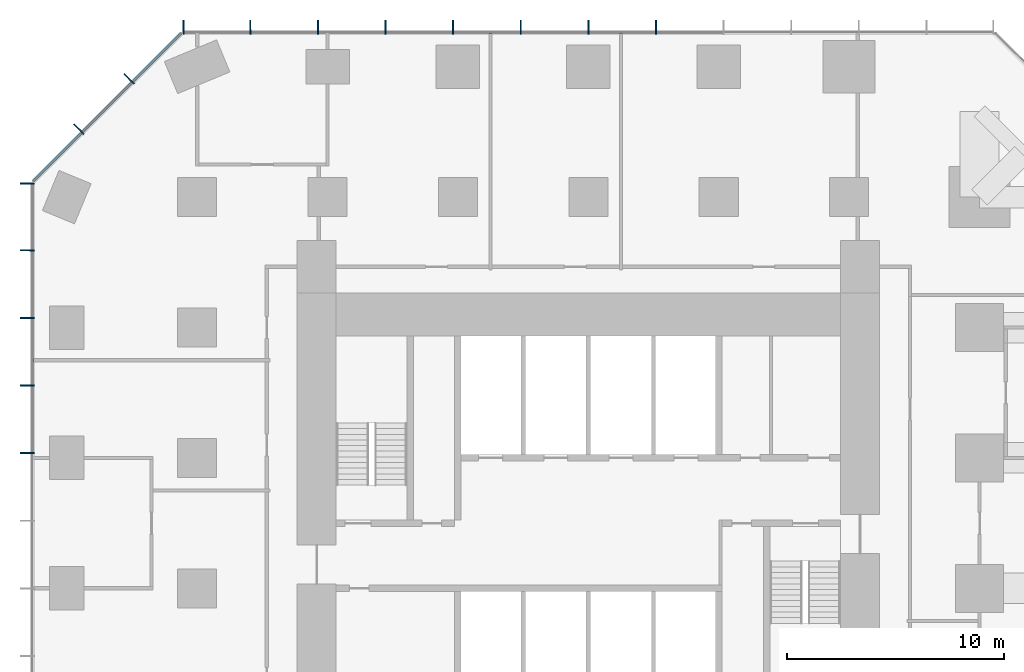
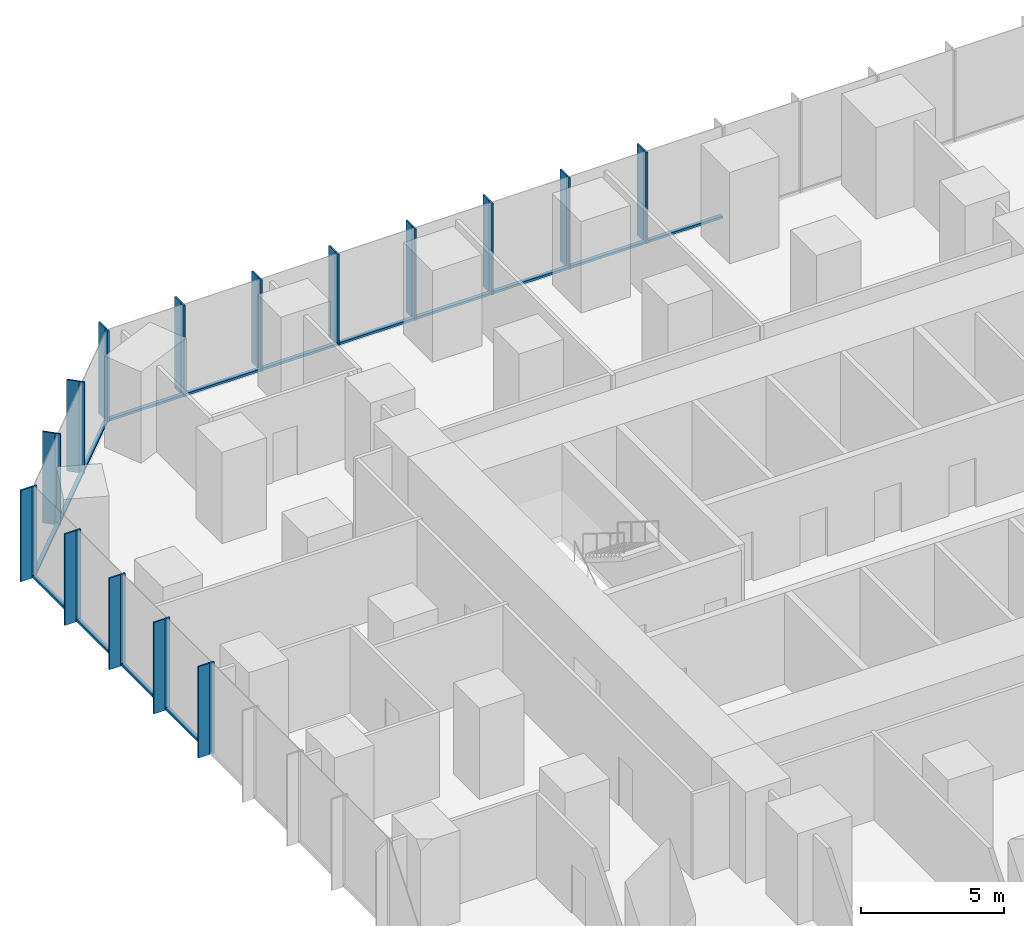
# One storey, part 5 of 12: 45 members, 3 elements without a shape of their own.
"""IFC4 building model written with IfcOpenShell, lengths in metres."""

from ifc_helpers import new_model, si_unit, direction, frame, origin, origin_2d, place, context, subcontext, project, spatial, rectangle, extrude, material, layer, layer_set, material_profile, profile_set, type_object, element, aggregate, save


model = new_model("IFC4")

# Units and contexts
model_context = context("Model", 3, precision=1e-05, world=origin(), true_north=direction((0.0, 1.0)))
body_context = subcontext(model_context, "Body", "Model", "MODEL_VIEW")
ifc_project = project(units=[si_unit("LENGTHUNIT", "METRE"), si_unit("AREAUNIT", "SQUARE_METRE"), si_unit("VOLUMEUNIT", "CUBIC_METRE"), si_unit("PLANEANGLEUNIT", "RADIAN"), si_unit("MASSUNIT", "GRAM", prefix="KILO")], contexts=[model_context])

# Site, building, storey
site_placement = place(None, origin())
site = spatial("IfcSite", under=ifc_project, at=site_placement, CompositionType="ELEMENT")
building_placement = place(site_placement, origin())
building = spatial("IfcBuilding", under=site, at=building_placement, Name="Highveld Stack Headquarters", CompositionType="ELEMENT")
storey_placement = place(building_placement, frame((0.0, 0.0, 49.39990234375)))
storey = spatial("IfcBuildingStorey", under=building, at=storey_placement, Name="L11", CompositionType="ELEMENT", Elevation=49.39990234375)

# Curtain wall, members
ifc_material_1 = material(Name="Aluminium bronze anodised", Category="aluminium")
ifc_layer_1 = layer(ifc_material_1, 0.199951171875)
ifc_layer_set_1 = layer_set([ifc_layer_1], Name="Aluminium bronze anodised")
curtain_wall_type_1 = type_object("IfcCurtainWallType", Name="CW1 TOWER UNITISED CURTAIN WALL", PredefinedType="NOTDEFINED", material=ifc_layer_set_1)
curtain_wall_1_placement = place(storey_placement, origin())
curtain_wall_1 = element("IfcCurtainWall", 1, at=curtain_wall_1_placement, inside=storey, type_object=curtain_wall_type_1, Name="Curtain wall CW1 L11 N", PredefinedType="NOTDEFINED")
ifc_material_2 = material(Name="Aluminium bronze anodised", Category="aluminium")
ifc_material_profile_1 = material_profile(ifc_material_2, rectangle(XDim=0.449951171875, YDim=0.06005859375, at=origin_2d()), Name="FIN 450x60")
ifc_profile_set_1 = profile_set([ifc_material_profile_1], Name="Aluminium bronze anodised")
member_type_1 = type_object("IfcMemberType", Name="CW1 BRONZE FIN 450x60", PredefinedType="USERDEFINED", material=ifc_profile_set_1)
member_1_placement = place(storey_placement, frame((9.110595703125, 25.925048828125, 0.0), z_axis=(0.0, 0.0, 1.0), x_axis=(0.0, -1.0, 0.0)))
member_1 = element("IfcMember", 2, at=member_1_placement, type_object=member_type_1, Name="CW1 fin L11 6", ObjectType="FIN", PredefinedType="USERDEFINED", context=body_context, shape_type="SweptSolid", body=[
    extrude(rectangle(XDim=0.449951171875, YDim=0.06005859375, at=origin_2d()), origin(), (0.0, 0.0, 1.0), 3.900146484375),
])
member_2_placement = place(storey_placement, frame((6.0, 25.925048828125, 0.0), z_axis=(0.0, 0.0, 1.0), x_axis=(0.0, -1.0, 0.0)))
member_2 = element("IfcMember", 3, at=member_2_placement, type_object=member_type_1, Name="CW1 fin L11 7", ObjectType="FIN", PredefinedType="USERDEFINED", context=body_context, shape_type="SweptSolid", body=[
    extrude(rectangle(XDim=0.449951171875, YDim=0.06005859375, at=origin_2d()), origin(), (0.0, 0.0, 1.0), 3.900146484375),
])
member_3_placement = place(storey_placement, frame((2.889404296875, 25.925048828125, 0.0), z_axis=(0.0, 0.0, 1.0), x_axis=(0.0, -1.0, 0.0)))
member_3 = element("IfcMember", 4, at=member_3_placement, type_object=member_type_1, Name="CW1 fin L11 8", ObjectType="FIN", PredefinedType="USERDEFINED", context=body_context, shape_type="SweptSolid", body=[
    extrude(rectangle(XDim=0.449951171875, YDim=0.06005859375, at=origin_2d()), origin(), (0.0, 0.0, 1.0), 3.900146484375),
])
member_4_placement = place(storey_placement, frame((-0.220947265625, 25.925048828125, 0.0), z_axis=(0.0, 0.0, 1.0), x_axis=(0.0, -1.0, 0.0)))
member_4 = element("IfcMember", 5, at=member_4_placement, type_object=member_type_1, Name="CW1 fin L11 9", ObjectType="FIN", PredefinedType="USERDEFINED", context=body_context, shape_type="SweptSolid", body=[
    extrude(rectangle(XDim=0.449951171875, YDim=0.06005859375, at=origin_2d()), origin(), (0.0, 0.0, 1.0), 3.900146484375),
])
member_5_placement = place(storey_placement, frame((-3.331298828125, 25.925048828125, 0.0), z_axis=(0.0, 0.0, 1.0), x_axis=(0.0, -1.0, 0.0)))
member_5 = element("IfcMember", 6, at=member_5_placement, type_object=member_type_1, Name="CW1 fin L11 10", ObjectType="FIN", PredefinedType="USERDEFINED", context=body_context, shape_type="SweptSolid", body=[
    extrude(rectangle(XDim=0.449951171875, YDim=0.06005859375, at=origin_2d()), origin(), (0.0, 0.0, 1.0), 3.900146484375),
])
member_6_placement = place(storey_placement, frame((-6.44189453125, 25.925048828125, 0.0), z_axis=(0.0, 0.0, 1.0), x_axis=(0.0, -1.0, 0.0)))
member_6 = element("IfcMember", 7, at=member_6_placement, type_object=member_type_1, Name="CW1 fin L11 11", ObjectType="FIN", PredefinedType="USERDEFINED", context=body_context, shape_type="SweptSolid", body=[
    extrude(rectangle(XDim=0.449951171875, YDim=0.06005859375, at=origin_2d()), origin(), (0.0, 0.0, 1.0), 3.900146484375),
])
member_7_placement = place(storey_placement, frame((-9.55224609375, 25.925048828125, 0.0), z_axis=(0.0, 0.0, 1.0), x_axis=(0.0, -1.0, 0.0)))
member_7 = element("IfcMember", 8, at=member_7_placement, type_object=member_type_1, Name="CW1 fin L11 12", ObjectType="FIN", PredefinedType="USERDEFINED", context=body_context, shape_type="SweptSolid", body=[
    extrude(rectangle(XDim=0.449951171875, YDim=0.06005859375, at=origin_2d()), origin(), (0.0, 0.0, 1.0), 3.900146484375),
])
member_8_placement = place(storey_placement, frame((-12.630126953125, 25.925048828125, 0.0), z_axis=(0.0, 0.0, 1.0), x_axis=(0.0, -1.0, 0.0)))
member_8 = element("IfcMember", 9, at=member_8_placement, type_object=member_type_1, Name="CW1 fin L11 13", ObjectType="FIN", PredefinedType="USERDEFINED", context=body_context, shape_type="SweptSolid", body=[
    extrude(rectangle(XDim=0.449951171875, YDim=0.06005859375, at=origin_2d()), origin(), (0.0, 0.0, 1.0), 3.900146484375),
])

curtain_wall_2_placement = place(storey_placement, origin())
curtain_wall_2 = element("IfcCurtainWall", 10, at=curtain_wall_2_placement, inside=storey, type_object=curtain_wall_type_1, Name="Curtain wall CW1 L11 W", PredefinedType="NOTDEFINED")
member_9_placement = place(storey_placement, frame((-19.925048828125, 18.630126953125, 0.0), z_axis=(0.0, 0.0, 1.0), x_axis=(1.0, 0.0, 0.0)))
member_9 = element("IfcMember", 11, at=member_9_placement, type_object=member_type_1, Name="CW1 fin L11 1", ObjectType="FIN", PredefinedType="USERDEFINED", context=body_context, shape_type="SweptSolid", body=[
    extrude(rectangle(XDim=0.449951171875, YDim=0.06005859375, at=origin_2d()), origin(), (0.0, 0.0, 1.0), 3.900146484375),
])
member_10_placement = place(storey_placement, frame((-19.925048828125, 15.55224609375, 0.0), z_axis=(0.0, 0.0, 1.0), x_axis=(1.0, 0.0, 0.0)))
member_10 = element("IfcMember", 12, at=member_10_placement, type_object=member_type_1, Name="CW1 fin L11 2", ObjectType="FIN", PredefinedType="USERDEFINED", context=body_context, shape_type="SweptSolid", body=[
    extrude(rectangle(XDim=0.449951171875, YDim=0.06005859375, at=origin_2d()), origin(), (0.0, 0.0, 1.0), 3.900146484375),
])
member_11_placement = place(storey_placement, frame((-19.925048828125, 12.44189453125, 0.0), z_axis=(0.0, 0.0, 1.0), x_axis=(1.0, 0.0, 0.0)))
member_11 = element("IfcMember", 13, at=member_11_placement, type_object=member_type_1, Name="CW1 fin L11 3", ObjectType="FIN", PredefinedType="USERDEFINED", context=body_context, shape_type="SweptSolid", body=[
    extrude(rectangle(XDim=0.449951171875, YDim=0.06005859375, at=origin_2d()), origin(), (0.0, 0.0, 1.0), 3.900146484375),
])
member_12_placement = place(storey_placement, frame((-19.925048828125, 9.331298828125, 0.0), z_axis=(0.0, 0.0, 1.0), x_axis=(1.0, 0.0, 0.0)))
member_12 = element("IfcMember", 14, at=member_12_placement, type_object=member_type_1, Name="CW1 fin L11 4", ObjectType="FIN", PredefinedType="USERDEFINED", context=body_context, shape_type="SweptSolid", body=[
    extrude(rectangle(XDim=0.449951171875, YDim=0.06005859375, at=origin_2d()), origin(), (0.0, 0.0, 1.0), 3.900146484375),
])
member_13_placement = place(storey_placement, frame((-19.925048828125, 6.220947265625, 0.0), z_axis=(0.0, 0.0, 1.0), x_axis=(1.0, 0.0, 0.0)))
member_13 = element("IfcMember", 15, at=member_13_placement, type_object=member_type_1, Name="CW1 fin L11 5", ObjectType="FIN", PredefinedType="USERDEFINED", context=body_context, shape_type="SweptSolid", body=[
    extrude(rectangle(XDim=0.449951171875, YDim=0.06005859375, at=origin_2d()), origin(), (0.0, 0.0, 1.0), 3.900146484375),
])

# Member
ifc_material_3 = material(Name="Aluminium bronze anodised", Category="aluminium")
ifc_material_profile_2 = material_profile(ifc_material_3, rectangle(XDim=0.199951171875, YDim=0.06494140625, at=origin_2d()), Name="CW1 MULLION 65x200")
ifc_profile_set_2 = profile_set([ifc_material_profile_2], Name="Aluminium bronze anodised")
member_type_2 = type_object("IfcMemberType", Name="CW1 MULLION 65x200", PredefinedType="MULLION", material=ifc_profile_set_2)
member_14_placement = place(storey_placement, frame((9.110595703125, 25.60009765625, 0.0), z_axis=(0.0, 0.0, 1.0), x_axis=(0.0, -1.0, 0.0)))
member_14 = element("IfcMember", 16, at=member_14_placement, type_object=member_type_2, Name="CW1 mullion L11 6", PredefinedType="MULLION", context=body_context, shape_type="SweptSolid", body=[
    extrude(rectangle(XDim=0.199951171875, YDim=0.06494140625, at=origin_2d()), origin(), (0.0, 0.0, 1.0), 3.900146484375),
])

member_15_placement = place(storey_placement, frame((6.0, 25.60009765625, 0.0), z_axis=(0.0, 0.0, 1.0), x_axis=(0.0, -1.0, 0.0)))
member_15 = element("IfcMember", 17, at=member_15_placement, type_object=member_type_2, Name="CW1 mullion L11 7", PredefinedType="MULLION", context=body_context, shape_type="SweptSolid", body=[
    extrude(rectangle(XDim=0.199951171875, YDim=0.06494140625, at=origin_2d()), origin(), (0.0, 0.0, 1.0), 3.900146484375),
])

member_16_placement = place(storey_placement, frame((2.889404296875, 25.60009765625, 0.0), z_axis=(0.0, 0.0, 1.0), x_axis=(0.0, -1.0, 0.0)))
member_16 = element("IfcMember", 18, at=member_16_placement, type_object=member_type_2, Name="CW1 mullion L11 8", PredefinedType="MULLION", context=body_context, shape_type="SweptSolid", body=[
    extrude(rectangle(XDim=0.199951171875, YDim=0.06494140625, at=origin_2d()), origin(), (0.0, 0.0, 1.0), 3.900146484375),
])

member_17_placement = place(storey_placement, frame((-0.220947265625, 25.60009765625, 0.0), z_axis=(0.0, 0.0, 1.0), x_axis=(0.0, -1.0, 0.0)))
member_17 = element("IfcMember", 19, at=member_17_placement, type_object=member_type_2, Name="CW1 mullion L11 9", PredefinedType="MULLION", context=body_context, shape_type="SweptSolid", body=[
    extrude(rectangle(XDim=0.199951171875, YDim=0.06494140625, at=origin_2d()), origin(), (0.0, 0.0, 1.0), 3.900146484375),
])

member_18_placement = place(storey_placement, frame((-3.331298828125, 25.60009765625, 0.0), z_axis=(0.0, 0.0, 1.0), x_axis=(0.0, -1.0, 0.0)))
member_18 = element("IfcMember", 20, at=member_18_placement, type_object=member_type_2, Name="CW1 mullion L11 10", PredefinedType="MULLION", context=body_context, shape_type="SweptSolid", body=[
    extrude(rectangle(XDim=0.199951171875, YDim=0.06494140625, at=origin_2d()), origin(), (0.0, 0.0, 1.0), 3.900146484375),
])

member_19_placement = place(storey_placement, frame((-6.44189453125, 25.60009765625, 0.0), z_axis=(0.0, 0.0, 1.0), x_axis=(0.0, -1.0, 0.0)))
member_19 = element("IfcMember", 21, at=member_19_placement, type_object=member_type_2, Name="CW1 mullion L11 11", PredefinedType="MULLION", context=body_context, shape_type="SweptSolid", body=[
    extrude(rectangle(XDim=0.199951171875, YDim=0.06494140625, at=origin_2d()), origin(), (0.0, 0.0, 1.0), 3.900146484375),
])

member_20_placement = place(storey_placement, frame((-9.55224609375, 25.60009765625, 0.0), z_axis=(0.0, 0.0, 1.0), x_axis=(0.0, -1.0, 0.0)))
member_20 = element("IfcMember", 22, at=member_20_placement, type_object=member_type_2, Name="CW1 mullion L11 12", PredefinedType="MULLION", context=body_context, shape_type="SweptSolid", body=[
    extrude(rectangle(XDim=0.199951171875, YDim=0.06494140625, at=origin_2d()), origin(), (0.0, 0.0, 1.0), 3.900146484375),
])

member_21_placement = place(storey_placement, frame((-12.630126953125, 25.60009765625, 0.0), z_axis=(0.0, 0.0, 1.0), x_axis=(0.0, -1.0, 0.0)))
member_21 = element("IfcMember", 23, at=member_21_placement, type_object=member_type_2, Name="CW1 mullion L11 13", PredefinedType="MULLION", context=body_context, shape_type="SweptSolid", body=[
    extrude(rectangle(XDim=0.199951171875, YDim=0.06494140625, at=origin_2d()), origin(), (0.0, 0.0, 1.0), 3.900146484375),
])

member_22_placement = place(storey_placement, frame((-19.60009765625, 18.630126953125, 0.0), z_axis=(0.0, 0.0, 1.0), x_axis=(1.0, 0.0, 0.0)))
member_22 = element("IfcMember", 24, at=member_22_placement, type_object=member_type_2, Name="CW1 mullion L11 1", PredefinedType="MULLION", context=body_context, shape_type="SweptSolid", body=[
    extrude(rectangle(XDim=0.199951171875, YDim=0.06494140625, at=origin_2d()), origin(), (0.0, 0.0, 1.0), 3.900146484375),
])

member_23_placement = place(storey_placement, frame((-19.60009765625, 15.55224609375, 0.0), z_axis=(0.0, 0.0, 1.0), x_axis=(1.0, 0.0, 0.0)))
member_23 = element("IfcMember", 25, at=member_23_placement, type_object=member_type_2, Name="CW1 mullion L11 2", PredefinedType="MULLION", context=body_context, shape_type="SweptSolid", body=[
    extrude(rectangle(XDim=0.199951171875, YDim=0.06494140625, at=origin_2d()), origin(), (0.0, 0.0, 1.0), 3.900146484375),
])

member_24_placement = place(storey_placement, frame((-19.60009765625, 12.44189453125, 0.0), z_axis=(0.0, 0.0, 1.0), x_axis=(1.0, 0.0, 0.0)))
member_24 = element("IfcMember", 26, at=member_24_placement, type_object=member_type_2, Name="CW1 mullion L11 3", PredefinedType="MULLION", context=body_context, shape_type="SweptSolid", body=[
    extrude(rectangle(XDim=0.199951171875, YDim=0.06494140625, at=origin_2d()), origin(), (0.0, 0.0, 1.0), 3.900146484375),
])

member_25_placement = place(storey_placement, frame((-19.60009765625, 9.331298828125, 0.0), z_axis=(0.0, 0.0, 1.0), x_axis=(1.0, 0.0, 0.0)))
member_25 = element("IfcMember", 27, at=member_25_placement, type_object=member_type_2, Name="CW1 mullion L11 4", PredefinedType="MULLION", context=body_context, shape_type="SweptSolid", body=[
    extrude(rectangle(XDim=0.199951171875, YDim=0.06494140625, at=origin_2d()), origin(), (0.0, 0.0, 1.0), 3.900146484375),
])

member_26_placement = place(storey_placement, frame((-19.60009765625, 6.220947265625, 0.0), z_axis=(0.0, 0.0, 1.0), x_axis=(1.0, 0.0, 0.0)))
member_26 = element("IfcMember", 28, at=member_26_placement, type_object=member_type_2, Name="CW1 mullion L11 5", PredefinedType="MULLION", context=body_context, shape_type="SweptSolid", body=[
    extrude(rectangle(XDim=0.199951171875, YDim=0.06494140625, at=origin_2d()), origin(), (0.0, 0.0, 1.0), 3.900146484375),
])

ifc_material_4 = material(Name="Aluminium bronze anodised", Category="aluminium")
ifc_material_profile_3 = material_profile(ifc_material_4, rectangle(XDim=0.14990234375, YDim=0.10009765625, at=origin_2d()), Name="CW1 TRANSOM 150x100")
ifc_profile_set_3 = profile_set([ifc_material_profile_3], Name="Aluminium bronze anodised")
member_type_3 = type_object("IfcMemberType", Name="CW1 STACK TRANSOM 150x100", PredefinedType="USERDEFINED", material=ifc_profile_set_3)
member_27_placement = place(storey_placement, frame((12.1884765625, 25.60009765625, 0.050048828125), z_axis=(-1.0, 0.0, 0.0), x_axis=(0.0, -1.0, 0.0)))
member_27 = element("IfcMember", 29, at=member_27_placement, type_object=member_type_3, Name="CW1 transom L11 5.1", ObjectType="TRANSOM", PredefinedType="USERDEFINED", context=body_context, shape_type="SweptSolid", body=[
    extrude(rectangle(XDim=0.14990234375, YDim=0.10009765625, at=origin_2d()), origin(), (0.0, 0.0, 1.0), 3.04541015625),
])

member_28_placement = place(storey_placement, frame((9.077880859375, 25.60009765625, 0.050048828125), z_axis=(-1.0, 0.0, 0.0), x_axis=(0.0, -1.0, 0.0)))
member_28 = element("IfcMember", 30, at=member_28_placement, type_object=member_type_3, Name="CW1 transom L11 6.1", ObjectType="TRANSOM", PredefinedType="USERDEFINED", context=body_context, shape_type="SweptSolid", body=[
    extrude(rectangle(XDim=0.14990234375, YDim=0.10009765625, at=origin_2d()), origin(), (0.0, 0.0, 1.0), 3.04541015625),
])

member_29_placement = place(storey_placement, frame((5.967529296875, 25.60009765625, 0.050048828125), z_axis=(-1.0, 0.0, 0.0), x_axis=(0.0, -1.0, 0.0)))
member_29 = element("IfcMember", 31, at=member_29_placement, type_object=member_type_3, Name="CW1 transom L11 7.1", ObjectType="TRANSOM", PredefinedType="USERDEFINED", context=body_context, shape_type="SweptSolid", body=[
    extrude(rectangle(XDim=0.14990234375, YDim=0.10009765625, at=origin_2d()), origin(), (0.0, 0.0, 1.0), 3.04541015625),
])

member_30_placement = place(storey_placement, frame((2.857177734375, 25.60009765625, 0.050048828125), z_axis=(-1.0, 0.0, 0.0), x_axis=(0.0, -1.0, 0.0)))
member_30 = element("IfcMember", 32, at=member_30_placement, type_object=member_type_3, Name="CW1 transom L11 8.1", ObjectType="TRANSOM", PredefinedType="USERDEFINED", context=body_context, shape_type="SweptSolid", body=[
    extrude(rectangle(XDim=0.14990234375, YDim=0.10009765625, at=origin_2d()), origin(), (0.0, 0.0, 1.0), 3.045654296875),
])

member_31_placement = place(storey_placement, frame((-0.25341796875, 25.60009765625, 0.050048828125), z_axis=(-1.0, 0.0, 0.0), x_axis=(0.0, -1.0, 0.0)))
member_31 = element("IfcMember", 33, at=member_31_placement, type_object=member_type_3, Name="CW1 transom L11 9.1", ObjectType="TRANSOM", PredefinedType="USERDEFINED", context=body_context, shape_type="SweptSolid", body=[
    extrude(rectangle(XDim=0.14990234375, YDim=0.10009765625, at=origin_2d()), origin(), (0.0, 0.0, 1.0), 3.04541015625),
])

member_32_placement = place(storey_placement, frame((-3.36376953125, 25.60009765625, 0.050048828125), z_axis=(-1.0, 0.0, 0.0), x_axis=(0.0, -1.0, 0.0)))
member_32 = element("IfcMember", 34, at=member_32_placement, type_object=member_type_3, Name="CW1 transom L11 10.1", ObjectType="TRANSOM", PredefinedType="USERDEFINED", context=body_context, shape_type="SweptSolid", body=[
    extrude(rectangle(XDim=0.14990234375, YDim=0.10009765625, at=origin_2d()), origin(), (0.0, 0.0, 1.0), 3.04541015625),
])

member_33_placement = place(storey_placement, frame((-6.474365234375, 25.60009765625, 0.050048828125), z_axis=(-1.0, 0.0, 0.0), x_axis=(0.0, -1.0, 0.0)))
member_33 = element("IfcMember", 35, at=member_33_placement, type_object=member_type_3, Name="CW1 transom L11 11.1", ObjectType="TRANSOM", PredefinedType="USERDEFINED", context=body_context, shape_type="SweptSolid", body=[
    extrude(rectangle(XDim=0.14990234375, YDim=0.10009765625, at=origin_2d()), origin(), (0.0, 0.0, 1.0), 3.04541015625),
])

member_34_placement = place(storey_placement, frame((-9.584716796875, 25.60009765625, 0.050048828125), z_axis=(-1.0, 0.0, 0.0), x_axis=(0.0, -1.0, 0.0)))
member_34 = element("IfcMember", 36, at=member_34_placement, type_object=member_type_3, Name="CW1 transom L11 12.1", ObjectType="TRANSOM", PredefinedType="USERDEFINED", context=body_context, shape_type="SweptSolid", body=[
    extrude(rectangle(XDim=0.14990234375, YDim=0.10009765625, at=origin_2d()), origin(), (0.0, 0.0, 1.0), 3.012939453125),
])

aggregate(curtain_wall_1, [member_14, member_1, member_15, member_2, member_16, member_3, member_17, member_4, member_18, member_5, member_19, member_6, member_20, member_7, member_21, member_8, member_27, member_28, member_29, member_30, member_31, member_32, member_33, member_34])

member_35_placement = place(storey_placement, frame((-19.60009765625, 18.59765625, 0.050048828125), z_axis=(0.0, -1.0, 0.0), x_axis=(1.0, 0.0, 0.0)))
member_35 = element("IfcMember", 37, at=member_35_placement, type_object=member_type_3, Name="CW1 transom L11 1.1", ObjectType="TRANSOM", PredefinedType="USERDEFINED", context=body_context, shape_type="SweptSolid", body=[
    extrude(rectangle(XDim=0.14990234375, YDim=0.10009765625, at=origin_2d()), origin(), (0.0, 0.0, 1.0), 3.012939453125),
])

member_36_placement = place(storey_placement, frame((-19.60009765625, 15.519775390625, 0.050048828125), z_axis=(0.0, -1.0, 0.0), x_axis=(1.0, 0.0, 0.0)))
member_36 = element("IfcMember", 38, at=member_36_placement, type_object=member_type_3, Name="CW1 transom L11 2.1", ObjectType="TRANSOM", PredefinedType="USERDEFINED", context=body_context, shape_type="SweptSolid", body=[
    extrude(rectangle(XDim=0.14990234375, YDim=0.10009765625, at=origin_2d()), origin(), (0.0, 0.0, 1.0), 3.04541015625),
])

member_37_placement = place(storey_placement, frame((-19.60009765625, 12.4091796875, 0.050048828125), z_axis=(0.0, -1.0, 0.0), x_axis=(1.0, 0.0, 0.0)))
member_37 = element("IfcMember", 39, at=member_37_placement, type_object=member_type_3, Name="CW1 transom L11 3.1", ObjectType="TRANSOM", PredefinedType="USERDEFINED", context=body_context, shape_type="SweptSolid", body=[
    extrude(rectangle(XDim=0.14990234375, YDim=0.10009765625, at=origin_2d()), origin(), (0.0, 0.0, 1.0), 3.045166015625),
])

member_38_placement = place(storey_placement, frame((-19.60009765625, 9.298828125, 0.050048828125), z_axis=(0.0, -1.0, 0.0), x_axis=(1.0, 0.0, 0.0)))
member_38 = element("IfcMember", 40, at=member_38_placement, type_object=member_type_3, Name="CW1 transom L11 4.1", ObjectType="TRANSOM", PredefinedType="USERDEFINED", context=body_context, shape_type="SweptSolid", body=[
    extrude(rectangle(XDim=0.14990234375, YDim=0.10009765625, at=origin_2d()), origin(), (0.0, 0.0, 1.0), 3.04541015625),
])

aggregate(curtain_wall_2, [member_22, member_9, member_23, member_10, member_24, member_11, member_25, member_12, member_26, member_13, member_35, member_36, member_37, member_38])

# Curtain wall, members
ifc_material_5 = material(Name="Aluminium bronze anodised", Category="aluminium")
ifc_layer_2 = layer(ifc_material_5, 0.199951171875)
ifc_layer_set_2 = layer_set([ifc_layer_2], Name="Aluminium bronze anodised")
curtain_wall_type_2 = type_object("IfcCurtainWallType", Name="CW2 TOWER CHAMFER UNITISED CURTAIN WALL", PredefinedType="NOTDEFINED", material=ifc_layer_set_2)
curtain_wall_3_placement = place(storey_placement, origin())
curtain_wall_3 = element("IfcCurtainWall", 41, at=curtain_wall_3_placement, inside=storey, type_object=curtain_wall_type_2, Name="Curtain wall CW2 L11 NW", PredefinedType="NOTDEFINED")
ifc_material_6 = material(Name="Aluminium bronze anodised", Category="aluminium")
ifc_material_profile_4 = material_profile(ifc_material_6, rectangle(XDim=0.449951171875, YDim=0.06005859375, at=origin_2d()), Name="FIN 450x60")
ifc_profile_set_4 = profile_set([ifc_material_profile_4], Name="Aluminium bronze anodised")
member_type_4 = type_object("IfcMemberType", Name="CW2 BRONZE FIN 450x60", PredefinedType="USERDEFINED", material=ifc_profile_set_4)
member_39_placement = place(storey_placement, frame((-15.204833984375, 23.517333984375, 0.0), z_axis=(0.0, 0.0, 1.0), x_axis=(0.707106781187, -0.707106781187, 0.0)))
member_39 = element("IfcMember", 42, at=member_39_placement, type_object=member_type_4, Name="CW2 fin L11 1", ObjectType="FIN", PredefinedType="USERDEFINED", context=body_context, shape_type="SweptSolid", body=[
    extrude(rectangle(XDim=0.449951171875, YDim=0.06005859375, at=origin_2d()), origin(), (0.0, 0.0, 1.0), 3.900146484375),
])
member_40_placement = place(storey_placement, frame((-17.517333984375, 21.204833984375, 0.0), z_axis=(0.0, 0.0, 1.0), x_axis=(0.707106781187, -0.707106781187, 0.0)))
member_40 = element("IfcMember", 43, at=member_40_placement, type_object=member_type_4, Name="CW2 fin L11 2", ObjectType="FIN", PredefinedType="USERDEFINED", context=body_context, shape_type="SweptSolid", body=[
    extrude(rectangle(XDim=0.449951171875, YDim=0.06005859375, at=origin_2d()), origin(), (0.0, 0.0, 1.0), 3.900146484375),
])
ifc_material_7 = material(Name="Aluminium bronze anodised", Category="aluminium")
ifc_material_profile_5 = material_profile(ifc_material_7, rectangle(XDim=0.199951171875, YDim=0.06494140625, at=origin_2d()), Name="CW2 MULLION 65x200")
ifc_profile_set_5 = profile_set([ifc_material_profile_5], Name="Aluminium bronze anodised")
member_type_5 = type_object("IfcMemberType", Name="CW2 MULLION 65x200", PredefinedType="MULLION", material=ifc_profile_set_5)
member_41_placement = place(storey_placement, frame((-14.97509765625, 23.28759765625, 0.0), z_axis=(0.0, 0.0, 1.0), x_axis=(0.707106781187, -0.707106781187, 0.0)))
member_41 = element("IfcMember", 44, at=member_41_placement, type_object=member_type_5, Name="CW2 mullion L11 1", PredefinedType="MULLION", context=body_context, shape_type="SweptSolid", body=[
    extrude(rectangle(XDim=0.199951171875, YDim=0.06494140625, at=origin_2d()), origin(), (0.0, 0.0, 1.0), 3.900146484375),
])
member_42_placement = place(storey_placement, frame((-17.28759765625, 20.97509765625, 0.0), z_axis=(0.0, 0.0, 1.0), x_axis=(0.707106781187, -0.707106781187, 0.0)))
member_42 = element("IfcMember", 45, at=member_42_placement, type_object=member_type_5, Name="CW2 mullion L11 2", PredefinedType="MULLION", context=body_context, shape_type="SweptSolid", body=[
    extrude(rectangle(XDim=0.199951171875, YDim=0.06494140625, at=origin_2d()), origin(), (0.0, 0.0, 1.0), 3.900146484375),
])
ifc_material_8 = material(Name="Aluminium bronze anodised", Category="aluminium")
ifc_material_profile_6 = material_profile(ifc_material_8, rectangle(XDim=0.14990234375, YDim=0.10009765625, at=origin_2d()), Name="CW2 TRANSOM 150x100")
ifc_profile_set_6 = profile_set([ifc_material_profile_6], Name="Aluminium bronze anodised")
member_type_6 = type_object("IfcMemberType", Name="CW2 STACK TRANSOM 150x100", PredefinedType="USERDEFINED", material=ifc_profile_set_6)
member_43_placement = place(storey_placement, frame((-12.7333984375, 25.529296875, 0.050048828125), z_axis=(-0.707106781187, -0.707106781187, 0.0), x_axis=(0.707106781187, -0.707106781187, 0.0)))
member_43 = element("IfcMember", 46, at=member_43_placement, type_object=member_type_6, Name="CW2 transom L11 1.1", ObjectType="TRANSOM", PredefinedType="USERDEFINED", context=body_context, shape_type="SweptSolid", body=[
    extrude(rectangle(XDim=0.14990234375, YDim=0.10009765625, at=origin_2d()), origin(), (0.0, 0.0, 1.0), 3.1376953125),
])
member_44_placement = place(storey_placement, frame((-14.998046875, 23.2646484375, 0.050048828125), z_axis=(-0.707106781187, -0.707106781187, 0.0), x_axis=(0.707106781187, -0.707106781187, 0.0)))
member_44 = element("IfcMember", 47, at=member_44_placement, type_object=member_type_6, Name="CW2 transom L11 2.1", ObjectType="TRANSOM", PredefinedType="USERDEFINED", context=body_context, shape_type="SweptSolid", body=[
    extrude(rectangle(XDim=0.14990234375, YDim=0.10009765625, at=origin_2d()), origin(), (0.0, 0.0, 1.0), 3.20556640625),
])
member_45_placement = place(storey_placement, frame((-17.310546875, 20.9521484375, 0.050048828125), z_axis=(-0.707106781187, -0.707106781187, 0.0), x_axis=(0.707106781187, -0.707106781187, 0.0)))
member_45 = element("IfcMember", 48, at=member_45_placement, type_object=member_type_6, Name="CW2 transom L11 3.1", ObjectType="TRANSOM", PredefinedType="USERDEFINED", context=body_context, shape_type="SweptSolid", body=[
    extrude(rectangle(XDim=0.14990234375, YDim=0.10009765625, at=origin_2d()), origin(), (0.0, 0.0, 1.0), 3.1376953125),
])
aggregate(curtain_wall_3, [member_41, member_39, member_42, member_40, member_43, member_44, member_45])

save(model, "model.ifc")
